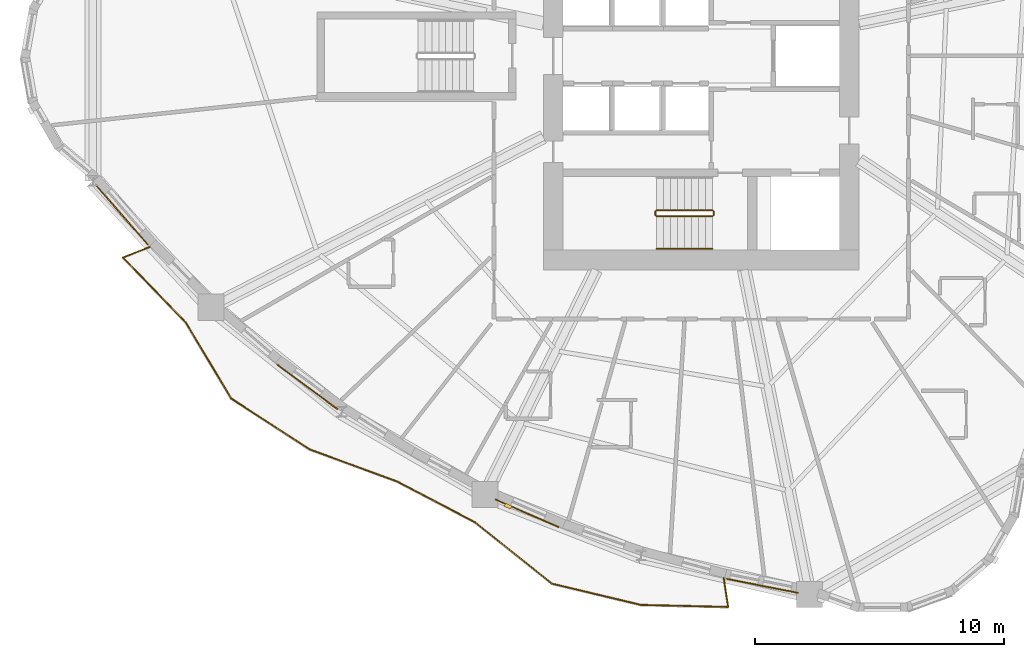
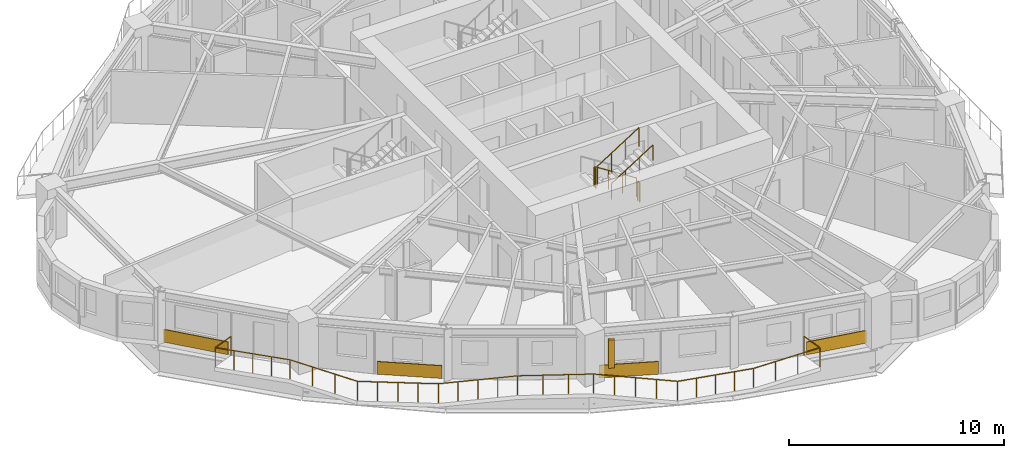
# One storey, part 11 of 14: 6 railings, 4 coverings, 1 shading device.
"""IFC4 building model written with IfcOpenShell, lengths in metres."""

from ifc_helpers import new_model, si_unit, direction, frame, origin, origin_2d, place, context, subcontext, project, spatial, rectangle, circle, extrude, source, transform, mapped, material, layer, layer_set, type_object, element, save


model = new_model("IFC4")

# Units and contexts
model_context = context("Model", 3, precision=1e-05, world=origin(), true_north=direction((0.0, 1.0)))
body_context = subcontext(model_context, "Body", "Model", "MODEL_VIEW")
ifc_project = project(units=[si_unit("LENGTHUNIT", "METRE"), si_unit("AREAUNIT", "SQUARE_METRE"), si_unit("VOLUMEUNIT", "CUBIC_METRE"), si_unit("PLANEANGLEUNIT", "RADIAN"), si_unit("MASSUNIT", "GRAM", prefix="KILO")], contexts=[model_context])

# Site, building, storey
site_placement = place(None, origin())
site = spatial("IfcSite", under=ifc_project, at=site_placement, CompositionType="ELEMENT")
building_placement = place(site_placement, origin())
building = spatial("IfcBuilding", under=site, at=building_placement, Name="Qafzar Sky-Pleat Residences", CompositionType="ELEMENT")
storey_placement = place(building_placement, frame((0.0, 0.0, 7.800048828125)))
storey = spatial("IfcBuildingStorey", under=building, at=storey_placement, Name="L01", CompositionType="ELEMENT", Elevation=7.800048828125)

# Railing
ifc_material_1 = material(Name="Laminated glass and bronze steel balustrade", Category="steel")
railing_type_1 = type_object("IfcRailingType", Name="RAIL-BAL-1100", PredefinedType="BALUSTRADE", material=ifc_material_1)
shared_shape_1 = source(origin(), body_context, "Body", "SweptSolid", [
    extrude(circle(Radius=0.02392578125, at=origin_2d()), frame((0.0, 0.0, 1.076171875), z_axis=(-0.932396945822, -0.361435935433, 0.0), x_axis=(0.361435935433, -0.932396945822, 0.0)), (0.0, 0.0, 1.0), 1.177978515625),
    extrude(circle(Radius=0.02392578125, at=origin_2d()), frame((-1.098388671875, -0.42578125, 1.076171875), z_axis=(0.696193259118, -0.717854404429, 0.0), x_axis=(0.717854404429, 0.696193259118, 0.0)), (0.0, 0.0, 1.0), 3.617919921875),
    extrude(circle(Radius=0.02392578125, at=origin_2d()), frame((1.42041015625, -3.02294921875, 1.076171875), z_axis=(0.513402147312, -0.858148142884, 0.0), x_axis=(0.858148142884, 0.513402147312, 0.0)), (0.0, 0.0, 1.0), 3.579833984375),
    extrude(circle(Radius=0.02392578125, at=origin_2d()), frame((3.25830078125, -6.094970703125, 1.076171875), z_axis=(0.838915696155, -0.54426138458, 0.0), x_axis=(0.54426138458, 0.838915696155, 0.0)), (0.0, 0.0, 1.0), 3.7666015625),
    extrude(circle(Radius=0.02392578125, at=origin_2d()), frame((6.418212890625, -8.14501953125, 1.076171875), z_axis=(0.939112047286, -0.343611063038, 0.0), x_axis=(0.343611063038, 0.939112047286, 0.0)), (0.0, 0.0, 1.0), 3.734375),
    extrude(circle(Radius=0.02392578125, at=origin_2d()), frame((9.92529296875, -9.42822265625, 1.076171875), z_axis=(0.885811284561, -0.464045653082, 0.0), x_axis=(0.464045653082, 0.885811284561, 0.0)), (0.0, 0.0, 1.0), 3.539794921875),
    extrude(circle(Radius=0.02392578125, at=origin_2d()), frame((13.060791015625, -11.07080078125, 1.076171875), z_axis=(0.781266830032, -0.624197196639, 0.0), x_axis=(0.624197196639, 0.781266830032, 0.0)), (0.0, 0.0, 1.0), 3.947998046875),
    extrude(circle(Radius=0.02392578125, at=origin_2d()), frame((16.145263671875, -13.53515625, 1.076171875), z_axis=(0.972537745746, -0.232745210689, 0.0), x_axis=(0.232745210689, 0.972537745746, 0.0)), (0.0, 0.0, 1.0), 3.677734375),
    extrude(circle(Radius=0.02392578125, at=origin_2d()), frame((19.721923828125, -14.39111328125, 1.076171875), z_axis=(0.999723990131, -0.023493479014, 0.0), x_axis=(0.023493479014, 0.999723990131, 0.0)), (0.0, 0.0, 1.0), 3.512451171875),
    extrude(circle(Radius=0.02392578125, at=origin_2d()), frame((23.2333984375, -14.4736328125, 1.076171875), z_axis=(-0.153162858633, 0.988200960704, 0.0), x_axis=(-0.988200960704, -0.153162858633, 0.0)), (0.0, 0.0, 1.0), 1.177978515625),
    extrude(circle(Radius=0.02099609375, at=origin_2d()), origin(), (0.0, 0.0, 1.0), 1.052001953125),
    extrude(circle(Radius=0.02099609375, at=origin_2d()), frame((-1.098388671875, -0.42578125, 0.0)), (0.0, 0.0, 1.0), 1.052001953125),
    extrude(circle(Radius=0.02099609375, at=origin_2d()), frame((-0.46875, -1.0751953125, 0.0)), (0.0, 0.0, 1.0), 1.052001953125),
    extrude(circle(Radius=0.02099609375, at=origin_2d()), frame((0.1611328125, -1.724365234375, 0.0)), (0.0, 0.0, 1.0), 1.052001953125),
    extrude(circle(Radius=0.02099609375, at=origin_2d()), frame((0.790771484375, -2.37353515625, 0.0)), (0.0, 0.0, 1.0), 1.052001953125),
    extrude(circle(Radius=0.02099609375, at=origin_2d()), frame((1.42041015625, -3.02294921875, 0.0)), (0.0, 0.0, 1.0), 1.052001953125),
    extrude(circle(Radius=0.02099609375, at=origin_2d()), frame((2.032958984375, -4.046875, 0.0)), (0.0, 0.0, 1.0), 1.052001953125),
    extrude(circle(Radius=0.02099609375, at=origin_2d()), frame((2.645751953125, -5.071044921875, 0.0)), (0.0, 0.0, 1.0), 1.052001953125),
    extrude(circle(Radius=0.02099609375, at=origin_2d()), frame((3.25830078125, -6.094970703125, 0.0)), (0.0, 0.0, 1.0), 1.052001953125),
    extrude(circle(Radius=0.02099609375, at=origin_2d()), frame((4.04833984375, -6.607421875, 0.0)), (0.0, 0.0, 1.0), 1.052001953125),
    extrude(circle(Radius=0.02099609375, at=origin_2d()), frame((4.83837890625, -7.1201171875, 0.0)), (0.0, 0.0, 1.0), 1.052001953125),
    extrude(circle(Radius=0.02099609375, at=origin_2d()), frame((5.628173828125, -7.632568359375, 0.0)), (0.0, 0.0, 1.0), 1.052001953125),
    extrude(circle(Radius=0.02099609375, at=origin_2d()), frame((6.418212890625, -8.14501953125, 0.0)), (0.0, 0.0, 1.0), 1.052001953125),
    extrude(circle(Radius=0.02099609375, at=origin_2d()), frame((7.294921875, -8.4658203125, 0.0)), (0.0, 0.0, 1.0), 1.052001953125),
    extrude(circle(Radius=0.02099609375, at=origin_2d()), frame((8.171875, -8.78662109375, 0.0)), (0.0, 0.0, 1.0), 1.052001953125),
    extrude(circle(Radius=0.02099609375, at=origin_2d()), frame((9.048583984375, -9.107421875, 0.0)), (0.0, 0.0, 1.0), 1.052001953125),
    extrude(circle(Radius=0.02099609375, at=origin_2d()), frame((9.92529296875, -9.42822265625, 0.0)), (0.0, 0.0, 1.0), 1.052001953125),
    extrude(circle(Radius=0.02099609375, at=origin_2d()), frame((10.970458984375, -9.975830078125, 0.0)), (0.0, 0.0, 1.0), 1.052001953125),
    extrude(circle(Radius=0.02099609375, at=origin_2d()), frame((12.015625, -10.523193359375, 0.0)), (0.0, 0.0, 1.0), 1.052001953125),
    extrude(circle(Radius=0.02099609375, at=origin_2d()), frame((13.060791015625, -11.07080078125, 0.0)), (0.0, 0.0, 1.0), 1.052001953125),
    extrude(circle(Radius=0.02099609375, at=origin_2d()), frame((13.83203125, -11.68701171875, 0.0)), (0.0, 0.0, 1.0), 1.052001953125),
    extrude(circle(Radius=0.02099609375, at=origin_2d()), frame((14.60302734375, -12.302978515625, 0.0)), (0.0, 0.0, 1.0), 1.052001953125),
    extrude(circle(Radius=0.02099609375, at=origin_2d()), frame((15.3740234375, -12.9189453125, 0.0)), (0.0, 0.0, 1.0), 1.052001953125),
    extrude(circle(Radius=0.02099609375, at=origin_2d()), frame((16.145263671875, -13.53515625, 0.0)), (0.0, 0.0, 1.0), 1.052001953125),
    extrude(circle(Radius=0.02099609375, at=origin_2d()), frame((17.03955078125, -13.7490234375, 0.0)), (0.0, 0.0, 1.0), 1.052001953125),
    extrude(circle(Radius=0.02099609375, at=origin_2d()), frame((17.93359375, -13.963134765625, 0.0)), (0.0, 0.0, 1.0), 1.052001953125),
    extrude(circle(Radius=0.02099609375, at=origin_2d()), frame((18.82763671875, -14.17724609375, 0.0)), (0.0, 0.0, 1.0), 1.052001953125),
    extrude(circle(Radius=0.02099609375, at=origin_2d()), frame((19.721923828125, -14.39111328125, 0.0)), (0.0, 0.0, 1.0), 1.052001953125),
    extrude(circle(Radius=0.02099609375, at=origin_2d()), frame((20.892333984375, -14.418701171875, 0.0)), (0.0, 0.0, 1.0), 1.052001953125),
    extrude(circle(Radius=0.02099609375, at=origin_2d()), frame((22.06298828125, -14.446044921875, 0.0)), (0.0, 0.0, 1.0), 1.052001953125),
    extrude(circle(Radius=0.02099609375, at=origin_2d()), frame((23.2333984375, -14.4736328125, 0.0)), (0.0, 0.0, 1.0), 1.052001953125),
    extrude(circle(Radius=0.02099609375, at=origin_2d()), frame((23.052978515625, -13.3095703125, 0.0)), (0.0, 0.0, 1.0), 1.052001953125),
])
railing_1_placement = place(storey_placement, frame((8.2001953125, 18.324951171875, 0.0)))
element("IfcRailing", 1, at=railing_1_placement, inside=storey, type_object=railing_type_1, Name="L01 Pleated Balcony 3 Balustrade", PredefinedType="BALUSTRADE", context=body_context, shape_type="MappedRepresentation", body=[
    mapped(shared_shape_1, transform((0.0, 0.0, 0.0), x_axis=(1.0, 0.0, 0.0), y_axis=(0.0, 1.0, 0.0), z_axis=(0.0, 0.0, 1.0), scale=1.0)),
])

# Shading device
ifc_material_2 = material(Name="Honed Riyadh limestone solar fin", Category="masonry")
ifc_layer_1 = layer(ifc_material_2, 0.139892578125)
ifc_layer_set_1 = layer_set([ifc_layer_1], Name="Honed Riyadh limestone solar fin")
shading_device_type = type_object("IfcShadingDeviceType", Name="SHD-FIN-STONE", PredefinedType="SHUTTER", material=ifc_layer_set_1)
shared_shape_2 = source(origin(), body_context, "Body", "SweptSolid", [
    extrude(rectangle(XDim=0.139892578125, YDim=0.280029296875, at=origin_2d()), origin(), (0.0, 0.0, 1.0), 1.60009765625),
])
shading_device_placement = place(storey_placement, frame((22.584716796875, 7.902587890625, 0.599853515625), z_axis=(0.0, 0.0, 1.0), x_axis=(-0.398709724071, -0.917077181011, 0.0)))
element("IfcShadingDevice", 2, at=shading_device_placement, inside=storey, type_object=shading_device_type, Name="L01 Limestone Solar Fin 13", PredefinedType="SHUTTER", context=body_context, shape_type="MappedRepresentation", body=[
    mapped(shared_shape_2, transform((0.0, 0.0, 0.0), x_axis=(1.0, 0.0, 0.0), y_axis=(0.0, 1.0, 0.0), z_axis=(0.0, 0.0, 1.0), scale=1.0)),
])

# Coverings
ifc_material_3 = material(Name="Honed Riyadh Tuwaiq limestone cladding", Category="masonry")
ifc_layer_2 = layer(ifc_material_3, 0.044921875)
ifc_layer_set_2 = layer_set([ifc_layer_2], Name="Honed Riyadh Tuwaiq limestone cladding")
covering_type = type_object("IfcCoveringType", Name="COV-CLAD-STONE", PredefinedType="CLADDING", material=ifc_layer_set_2)
shared_shape_3 = source(origin(), body_context, "Body", "SweptSolid", [
    extrude(rectangle(XDim=3.179443359375, YDim=0.044921875, at=origin_2d()), origin(), (0.0, 0.0, 1.0), 0.719970703125),
])
covering_1_placement = place(storey_placement, frame((7.05810546875, 19.616943359375, 0.02001953125), z_axis=(0.0, 0.0, 1.0), x_axis=(0.657616339803, -0.753353004656, 0.0)))
element("IfcCovering", 3, at=covering_1_placement, inside=storey, type_object=covering_type, Name="L01 Riyadh Limestone Spandrel Cladding 7", PredefinedType="CLADDING", context=body_context, shape_type="MappedRepresentation", body=[
    mapped(shared_shape_3, transform((0.0, 0.0, 0.0), x_axis=(1.0, 0.0, 0.0), y_axis=(0.0, 1.0, 0.0), z_axis=(0.0, 0.0, 1.0), scale=1.0)),
])
shared_shape_4 = source(origin(), body_context, "Body", "SweptSolid", [
    extrude(rectangle(XDim=3.028564453125, YDim=0.044921875, at=origin_2d()), origin(), (0.0, 0.0, 1.0), 0.719970703125),
])
covering_2_placement = place(storey_placement, frame((14.52197265625, 12.694580078125, 0.02001953125), z_axis=(0.0, 0.0, 1.0), x_axis=(0.803817173959, -0.594876416451, 0.0)))
element("IfcCovering", 4, at=covering_2_placement, inside=storey, type_object=covering_type, Name="L01 Riyadh Limestone Spandrel Cladding 10", PredefinedType="CLADDING", context=body_context, shape_type="MappedRepresentation", body=[
    mapped(shared_shape_4, transform((0.0, 0.0, 0.0), x_axis=(1.0, 0.0, 0.0), y_axis=(0.0, 1.0, 0.0), z_axis=(0.0, 0.0, 1.0), scale=1.0)),
])
shared_shape_5 = source(origin(), body_context, "Body", "SweptSolid", [
    extrude(rectangle(XDim=2.776611328125, YDim=0.044921875, at=origin_2d()), origin(), (0.0, 0.0, 1.0), 0.719970703125),
])
covering_3_placement = place(storey_placement, frame((23.344482421875, 7.619140625, 0.02001953125), z_axis=(0.0, 0.0, 1.0), x_axis=(0.917068510251, -0.398729667201, 0.0)))
element("IfcCovering", 5, at=covering_3_placement, inside=storey, type_object=covering_type, Name="L01 Riyadh Limestone Spandrel Cladding 13", PredefinedType="CLADDING", context=body_context, shape_type="MappedRepresentation", body=[
    mapped(shared_shape_5, transform((0.0, 0.0, 0.0), x_axis=(1.0, 0.0, 0.0), y_axis=(0.0, 1.0, 0.0), z_axis=(0.0, 0.0, 1.0), scale=1.0)),
])
shared_shape_6 = source(origin(), body_context, "Body", "SweptSolid", [
    extrude(rectangle(XDim=2.927490234375, YDim=0.044921875, at=origin_2d()), origin(), (0.0, 0.0, 1.0), 0.719970703125),
])
covering_4_placement = place(storey_placement, frame((32.8056640625, 4.69921875, 0.02001953125), z_axis=(0.0, 0.0, 1.0), x_axis=(0.981232618994, -0.192827766212, 0.0)))
element("IfcCovering", 6, at=covering_4_placement, inside=storey, type_object=covering_type, Name="L01 Riyadh Limestone Spandrel Cladding 16", PredefinedType="CLADDING", context=body_context, shape_type="MappedRepresentation", body=[
    mapped(shared_shape_6, transform((0.0, 0.0, 0.0), x_axis=(1.0, 0.0, 0.0), y_axis=(0.0, 1.0, 0.0), z_axis=(0.0, 0.0, 1.0), scale=1.0)),
])

# Railings
ifc_material_4 = material(Name="Painted Steel S355 stair guardrail", Category="steel")
railing_type_2 = type_object("IfcRailingType", Name="RAIL-STAIR-GUARD", PredefinedType="GUARDRAIL", material=ifc_material_4)
shared_shape_7 = source(origin(), body_context, "Body", "SweptSolid", [
    extrude(circle(Radius=0.02392578125, at=origin_2d()), frame((0.0, 0.0, 1.076171875), z_axis=(0.0, -1.0, 0.0), x_axis=(1.0, 0.0, 0.0)), (0.0, 0.0, 1.0), 0.14990234375),
    extrude(circle(Radius=0.02099609375, at=origin_2d()), origin(), (0.0, 0.0, 1.0), 1.052001953125),
    extrude(circle(Radius=0.02099609375, at=origin_2d()), frame((0.0, -0.14990234375, 0.0)), (0.0, 0.0, 1.0), 1.052001953125),
])
for number, where, name in (
    (7, (28.510009765625, 19.75, 1.599853515625), "L01 ST1 stair guard 2"),
    (8, (30.85009765625, 19.75, 0.0), "L01 ST1 stair guard 4"),
):
    element("IfcRailing", number, at=place(storey_placement, frame(where)), inside=storey, type_object=railing_type_2, Name=name, PredefinedType="GUARDRAIL", context=body_context, shape_type="MappedRepresentation", body=[
        mapped(shared_shape_7, transform((0.0, 0.0, 0.0), x_axis=(1.0, 0.0, 0.0), y_axis=(0.0, 1.0, 0.0), z_axis=(0.0, 0.0, 1.0), scale=1.0)),
    ])
shared_shape_8 = source(origin(), body_context, "Body", "SweptSolid", [
    extrude(circle(Radius=0.02392578125, at=origin_2d()), frame((0.0, 0.0, 1.076171875), z_axis=(-0.8442293374, 0.0, 0.53598211339), x_axis=(0.0, -1.0, 0.0)), (0.0, 0.0, 1.0), 2.6533203125),
    extrude(circle(Radius=0.02099609375, at=origin_2d()), origin(), (0.0, 0.0, 1.0), 1.052001953125),
    extrude(circle(Radius=0.02099609375, at=origin_2d()), frame((-0.74658203125, 0.0, 0.47412109375)), (0.0, 0.0, 1.0), 1.052001953125),
    extrude(circle(Radius=0.02099609375, at=origin_2d()), frame((-1.493408203125, 0.0, 0.947998046875)), (0.0, 0.0, 1.0), 1.052001953125),
    extrude(circle(Radius=0.02099609375, at=origin_2d()), frame((-2.239990234375, 0.0, 1.422119140625)), (0.0, 0.0, 1.0), 1.052001953125),
])
railing_2_placement = place(storey_placement, frame((30.800048828125, 19.800048828125, 0.177734375)))
element("IfcRailing", 9, at=railing_2_placement, inside=storey, type_object=railing_type_2, Name="L01 ST1 stair guard 1", PredefinedType="GUARDRAIL", context=body_context, shape_type="MappedRepresentation", body=[
    mapped(shared_shape_8, transform((0.0, 0.0, 0.0), x_axis=(1.0, 0.0, 0.0), y_axis=(0.0, 1.0, 0.0), z_axis=(0.0, 0.0, 1.0), scale=1.0)),
])
shared_shape_9 = source(origin(), body_context, "Body", "SweptSolid", [
    extrude(circle(Radius=0.02392578125, at=origin_2d()), frame((0.0, 0.0, 1.076171875), z_axis=(0.8442293374, 0.0, 0.53598211339), x_axis=(0.0, 1.0, 0.0)), (0.0, 0.0, 1.0), 2.6533203125),
    extrude(circle(Radius=0.02099609375, at=origin_2d()), origin(), (0.0, 0.0, 1.0), 1.052001953125),
    extrude(circle(Radius=0.02099609375, at=origin_2d()), frame((0.74658203125, 0.0, 0.47412109375)), (0.0, 0.0, 1.0), 1.052001953125),
    extrude(circle(Radius=0.02099609375, at=origin_2d()), frame((1.493408203125, 0.0, 0.947998046875)), (0.0, 0.0, 1.0), 1.052001953125),
    extrude(circle(Radius=0.02099609375, at=origin_2d()), frame((2.239990234375, 0.0, 1.422119140625)), (0.0, 0.0, 1.0), 1.052001953125),
])
railing_3_placement = place(storey_placement, frame((28.56005859375, 19.550048828125, 1.77783203125)))
element("IfcRailing", 10, at=railing_3_placement, inside=storey, type_object=railing_type_2, Name="L01 ST1 stair guard 3", PredefinedType="GUARDRAIL", context=body_context, shape_type="MappedRepresentation", body=[
    mapped(shared_shape_9, transform((0.0, 0.0, 0.0), x_axis=(1.0, 0.0, 0.0), y_axis=(0.0, 1.0, 0.0), z_axis=(0.0, 0.0, 1.0), scale=1.0)),
])
ifc_material_5 = material(Name="Brushed stainless steel handrail", Category="steel")
railing_type_3 = type_object("IfcRailingType", Name="RAIL-STAIR-HAND", PredefinedType="HANDRAIL", material=ifc_material_5)
shared_shape_10 = source(origin(), body_context, "Body", "SweptSolid", [
    extrude(circle(Radius=0.02392578125, at=origin_2d()), frame((0.0, 0.0, 0.8759765625), z_axis=(0.8442293374, 0.0, 0.53598211339), x_axis=(0.0, 1.0, 0.0)), (0.0, 0.0, 1.0), 2.6533203125),
    extrude(circle(Radius=0.02099609375, at=origin_2d()), origin(), (0.0, 0.0, 1.0), 0.851806640625),
    extrude(circle(Radius=0.02099609375, at=origin_2d()), frame((0.74658203125, 0.0, 0.47412109375)), (0.0, 0.0, 1.0), 0.851806640625),
    extrude(circle(Radius=0.02099609375, at=origin_2d()), frame((1.493408203125, 0.0, 0.947998046875)), (0.0, 0.0, 1.0), 0.851806640625),
    extrude(circle(Radius=0.02099609375, at=origin_2d()), frame((2.239990234375, 0.0, 1.422119140625)), (0.0, 0.0, 1.0), 0.851806640625),
])
railing_4_placement = place(storey_placement, frame((28.56005859375, 18.25, 1.77783203125)))
element("IfcRailing", 11, at=railing_4_placement, inside=storey, type_object=railing_type_3, Name="L01 ST1 stair handrail 2", PredefinedType="HANDRAIL", context=body_context, shape_type="MappedRepresentation", body=[
    mapped(shared_shape_10, transform((0.0, 0.0, 0.0), x_axis=(1.0, 0.0, 0.0), y_axis=(0.0, 1.0, 0.0), z_axis=(0.0, 0.0, 1.0), scale=1.0)),
])

save(model, "model.ifc")
